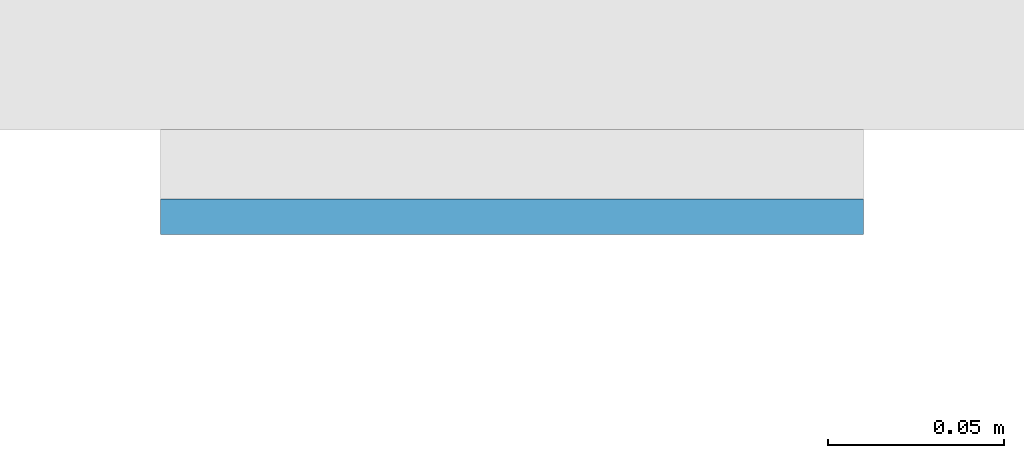
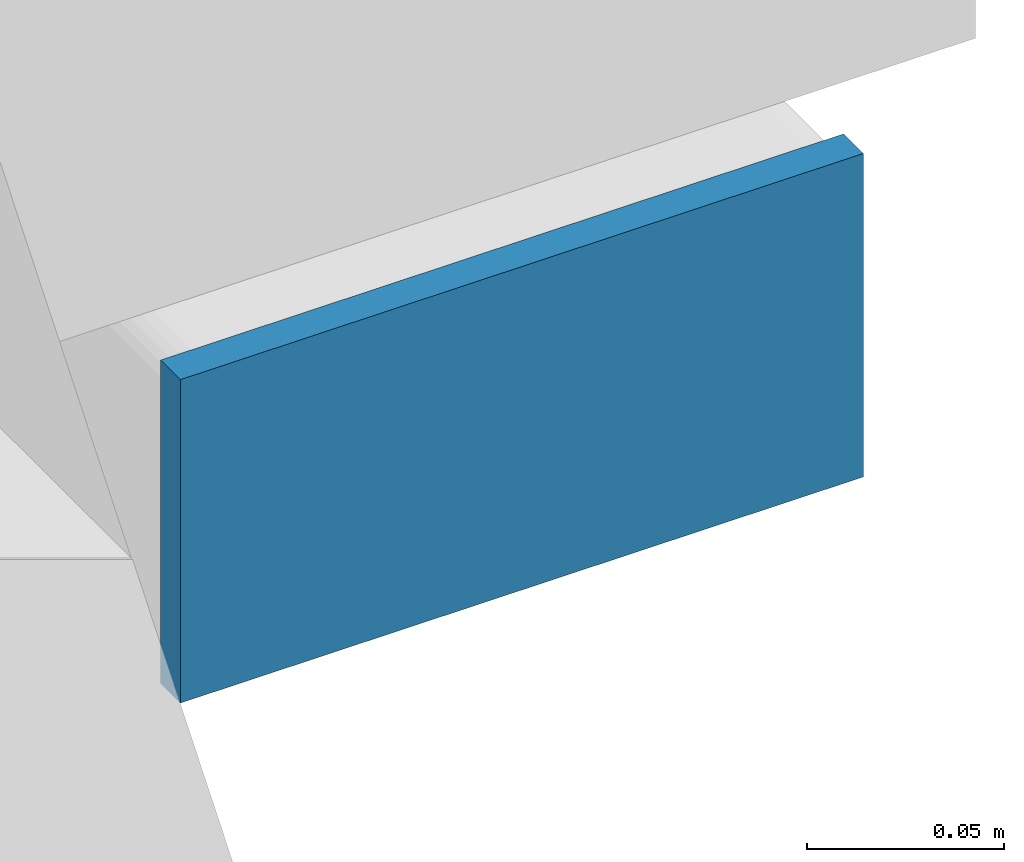
# One storey, part 10 of 20: 1 plate.
"""IFC4 building model written with IfcOpenShell, lengths in metres."""

from ifc_helpers import new_model, si_unit, direction, frame, origin, origin_2d, place, context, subcontext, project, spatial, rectangle, extrude, material, layer, layer_set, type_object, element, save


model = new_model("IFC4")

# Units and contexts
model_context = context("Model", 3, precision=1e-05, world=origin(), true_north=direction((0.0, 1.0)))
body_context = subcontext(model_context, "Body", "Model", "MODEL_VIEW")
ifc_project = project(units=[si_unit("LENGTHUNIT", "METRE"), si_unit("AREAUNIT", "SQUARE_METRE"), si_unit("VOLUMEUNIT", "CUBIC_METRE"), si_unit("PLANEANGLEUNIT", "RADIAN"), si_unit("MASSUNIT", "GRAM", prefix="KILO")], contexts=[model_context])

# Site, building, storey
site_placement = place(None, origin())
site = spatial("IfcSite", under=ifc_project, at=site_placement, CompositionType="ELEMENT")
building_placement = place(site_placement, origin())
building = spatial("IfcBuilding", under=site, at=building_placement, Name="Cleftline Residences", CompositionType="ELEMENT")
storey_placement = place(building_placement, frame((0.0, 0.0, 54.800048828125)))
storey = spatial("IfcBuildingStorey", under=building, at=storey_placement, Name="L13", CompositionType="ELEMENT", Elevation=54.800048828125)

# Plate
ifc_material = material(Name="Steel S355, hot-dip galvanised", Category="steel")
ifc_layer = layer(ifc_material, 0.010009765625)
ifc_layer_set = layer_set([ifc_layer], Name="BAGUETTE CARRIER END PLATE 200X100X10")
plate_type = type_object("IfcPlateType", Name="BAGUETTE CARRIER END PLATE 200X100X10", PredefinedType="USERDEFINED", material=ifc_layer_set)
plate_placement = place(storey_placement, frame((66.85009765625, 3.695068359375, -0.10009765625), z_axis=(0.0, 0.0, 1.0), x_axis=(1.0, 0.0, 0.0)))
element("IfcPlate", 1, at=plate_placement, inside=storey, type_object=plate_type, Name="Baguette carrier end plate", ObjectType="BAGUETTE CARRIER END PLATE", PredefinedType="USERDEFINED", context=body_context, shape_type="SweptSolid", body=[
    extrude(rectangle(XDim=0.199951171875, YDim=0.010009765625, at=origin_2d()), origin(), (0.0, 0.0, 1.0), 0.10009765625),
])

save(model, "model.ifc")
